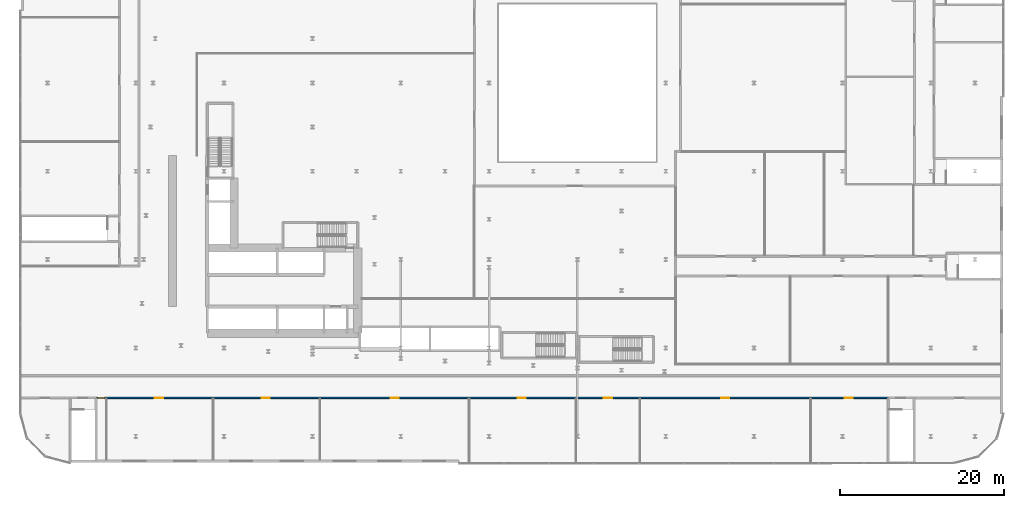
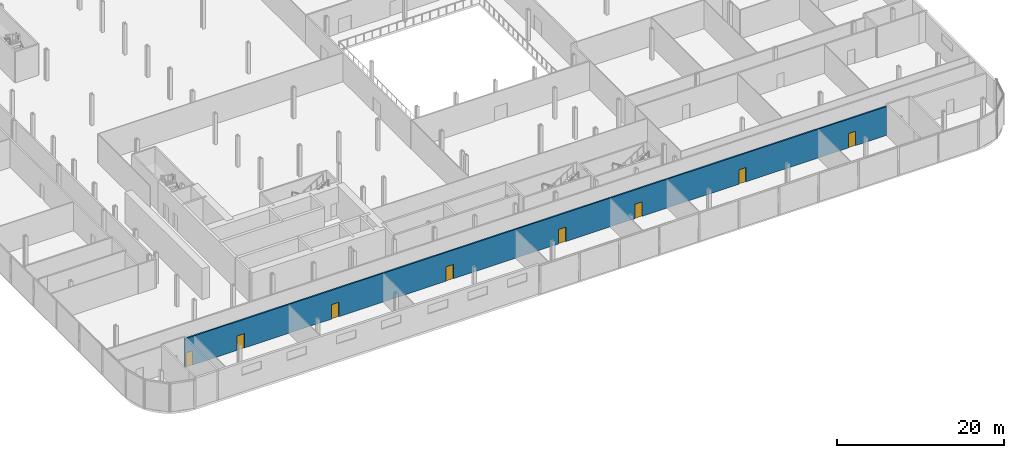
# One storey, part 27 of 43: 8 doors, 1 wall, 8 openings.
"""IFC4 building model written with IfcOpenShell, lengths in metres."""

from ifc_helpers import new_model, si_unit, direction, frame, frame_2d, origin, place, context, subcontext, project, spatial, rectangle, extrude, source, transform, mapped, material, layer, layer_set, type_object, element, fill, save


model = new_model("IFC4")

# Units and contexts
model_context = context("Model", 3, precision=1e-05, world=origin(), true_north=direction((0.0, 1.0)))
body_context = subcontext(model_context, "Body", "Model", "MODEL_VIEW")
ifc_project = project(units=[si_unit("LENGTHUNIT", "METRE"), si_unit("AREAUNIT", "SQUARE_METRE"), si_unit("VOLUMEUNIT", "CUBIC_METRE"), si_unit("PLANEANGLEUNIT", "RADIAN"), si_unit("MASSUNIT", "GRAM", prefix="KILO")], contexts=[model_context])

# Site, building, storey
site_placement = place(None, origin())
site = spatial("IfcSite", under=ifc_project, at=site_placement, CompositionType="ELEMENT")
building_placement = place(site_placement, origin())
building = spatial("IfcBuilding", under=site, at=building_placement, Name="Kheshtan School and Residences Tower", CompositionType="ELEMENT")
storey_placement = place(building_placement, frame((0.0, 0.0, 26.0)))
storey = spatial("IfcBuildingStorey", under=building, at=storey_placement, Name="L05", CompositionType="ELEMENT", Elevation=26.0)

# Wall, openings, doors
ifc_material_1 = material(Name="Gypsum board on steel studs with fire boards", Category="steel")
ifc_layer = layer(ifc_material_1, 0.199951171875)
ifc_layer_set = layer_set([ifc_layer], Name="Corridor wall 200")
wall_type = type_object("IfcWallType", Name="Corridor wall 200", PredefinedType="PARTITIONING", material=ifc_layer_set)
wall_placement = place(storey_placement, frame((21.14990234375, 17.89990234375, 0.0), z_axis=(0.0, 0.0, 1.0), x_axis=(1.0, 0.0, 0.0)))
wall = element("IfcWall", 1, at=wall_placement, inside=storey, type_object=wall_type, Name="Partition L05-008", PredefinedType="PARTITIONING", context=body_context, shape_type="SweptSolid", body=[
    extrude(rectangle(XDim=96.85009765625, YDim=0.199951171875, at=frame_2d((48.425048828125, 0.0))), origin(), (0.0, 0.0, 1.0), 4.199951171875),
])
opening_1_placement = place(wall_placement, frame((0.14990234375, 0.0, 0.0)))
opening_1 = element("IfcOpeningElement", 2, at=opening_1_placement, cuts=wall, Name="Opening D05-035", PredefinedType="OPENING", context=body_context, shape_type="SweptSolid", body=[
    extrude(rectangle(XDim=0.89990234375, YDim=2.10009765625, at=frame_2d((0.449951171875, 1.050048828125))), frame((0.0, 0.10986328125, 0.0), z_axis=(0.0, -1.0, 0.0), x_axis=(1.0, 0.0, 0.0)), (0.0, 0.0, 1.0), 0.219970703125),
])
opening_2_placement = place(wall_placement, frame((7.18505859375, 0.0, 0.0)))
opening_2 = element("IfcOpeningElement", 3, at=opening_2_placement, cuts=wall, Name="Opening D05-036", PredefinedType="OPENING", context=body_context, shape_type="SweptSolid", body=[
    extrude(rectangle(XDim=1.0, YDim=2.10009765625, at=frame_2d((0.5, 1.050048828125))), frame((0.0, 0.10986328125, 0.0), z_axis=(0.0, -1.0, 0.0), x_axis=(1.0, 0.0, 0.0)), (0.0, 0.0, 1.0), 0.219970703125),
])
opening_3_placement = place(wall_placement, frame((20.22802734375, 0.0, 0.0)))
opening_3 = element("IfcOpeningElement", 4, at=opening_3_placement, cuts=wall, Name="Opening D05-037", PredefinedType="OPENING", context=body_context, shape_type="SweptSolid", body=[
    extrude(rectangle(XDim=1.0, YDim=2.10009765625, at=frame_2d((0.5, 1.050048828125))), frame((0.0, 0.10986328125, 0.0), z_axis=(0.0, -1.0, 0.0), x_axis=(1.0, 0.0, 0.0)), (0.0, 0.0, 1.0), 0.219970703125),
])
opening_4_placement = place(wall_placement, frame((36.02197265625, 0.0, 0.0)))
opening_4 = element("IfcOpeningElement", 5, at=opening_4_placement, cuts=wall, Name="Opening D05-038", PredefinedType="OPENING", context=body_context, shape_type="SweptSolid", body=[
    extrude(rectangle(XDim=1.0, YDim=2.10009765625, at=frame_2d((0.5, 1.050048828125))), frame((0.0, 0.10986328125, 0.0), z_axis=(0.0, -1.0, 0.0), x_axis=(1.0, 0.0, 0.0)), (0.0, 0.0, 1.0), 0.219970703125),
])
opening_5_placement = place(wall_placement, frame((51.532958984375, 0.0, 0.0)))
opening_5 = element("IfcOpeningElement", 6, at=opening_5_placement, cuts=wall, Name="Opening D05-039", PredefinedType="OPENING", context=body_context, shape_type="SweptSolid", body=[
    extrude(rectangle(XDim=1.0, YDim=2.10009765625, at=frame_2d((0.5, 1.050048828125))), frame((0.0, 0.10986328125, 0.0), z_axis=(0.0, -1.0, 0.0), x_axis=(1.0, 0.0, 0.0)), (0.0, 0.0, 1.0), 0.219970703125),
])
opening_6_placement = place(wall_placement, frame((62.075927734375, 0.0, 0.0)))
opening_6 = element("IfcOpeningElement", 7, at=opening_6_placement, cuts=wall, Name="Opening D05-040", PredefinedType="OPENING", context=body_context, shape_type="SweptSolid", body=[
    extrude(rectangle(XDim=1.0, YDim=2.10009765625, at=frame_2d((0.5, 1.050048828125))), frame((0.0, 0.10986328125, 0.0), z_axis=(0.0, -1.0, 0.0), x_axis=(1.0, 0.0, 0.0)), (0.0, 0.0, 1.0), 0.219970703125),
])
opening_7_placement = place(wall_placement, frame((76.402099609375, 0.0, 0.0)))
opening_7 = element("IfcOpeningElement", 8, at=opening_7_placement, cuts=wall, Name="Opening D05-041", PredefinedType="OPENING", context=body_context, shape_type="SweptSolid", body=[
    extrude(rectangle(XDim=1.0, YDim=2.10009765625, at=frame_2d((0.5, 1.050048828125))), frame((0.0, 0.10986328125, 0.0), z_axis=(0.0, -1.0, 0.0), x_axis=(1.0, 0.0, 0.0)), (0.0, 0.0, 1.0), 0.219970703125),
])
opening_8_placement = place(wall_placement, frame((91.52197265625, 0.0, 0.0)))
opening_8 = element("IfcOpeningElement", 9, at=opening_8_placement, cuts=wall, Name="Opening D05-042", PredefinedType="OPENING", context=body_context, shape_type="SweptSolid", body=[
    extrude(rectangle(XDim=1.0, YDim=2.10009765625, at=frame_2d((0.5, 1.050048828125))), frame((0.0, 0.10986328125, 0.0), z_axis=(0.0, -1.0, 0.0), x_axis=(1.0, 0.0, 0.0)), (0.0, 0.0, 1.0), 0.219970703125),
])
ifc_material_2 = material(Name="Steel-framed fire-resisting door leaf", Category="steel")
door_type_1 = type_object("IfcDoorType", Name="Fire door FD60 1000 x 2100", OperationType="SINGLE_SWING_LEFT", PredefinedType="DOOR", material=ifc_material_2)
shared_shape_1 = source(origin(), body_context, "Body", "SweptSolid", [
    extrude(rectangle(XDim=1.0, YDim=2.10009765625, at=frame_2d((0.5, 1.050048828125))), frame((0.0, 0.02490234375, 0.0), z_axis=(0.0, -1.0, 0.0), x_axis=(1.0, 0.0, 0.0)), (0.0, 0.0, 1.0), 0.050048828125),
])
door_1_placement = place(opening_2_placement, origin())
door_1 = element("IfcDoor", 10, at=door_1_placement, inside=storey, type_object=door_type_1, Name="Door D05-036", OperationType="SINGLE_SWING_LEFT", OverallHeight=2.10009765625, OverallWidth=1.0, PredefinedType="DOOR", context=body_context, shape_type="MappedRepresentation", body=[
    mapped(shared_shape_1, transform((0.0, 0.0, 0.0), x_axis=(1.0, 0.0, 0.0), y_axis=(0.0, 1.0, 0.0), z_axis=(0.0, 0.0, 1.0), scale=1.0)),
])
fill(opening_2, door_1)
door_2_placement = place(opening_3_placement, origin())
door_2 = element("IfcDoor", 11, at=door_2_placement, inside=storey, type_object=door_type_1, Name="Door D05-037", OperationType="SINGLE_SWING_LEFT", OverallHeight=2.10009765625, OverallWidth=1.0, PredefinedType="DOOR", context=body_context, shape_type="MappedRepresentation", body=[
    mapped(shared_shape_1, transform((0.0, 0.0, 0.0), x_axis=(1.0, 0.0, 0.0), y_axis=(0.0, 1.0, 0.0), z_axis=(0.0, 0.0, 1.0), scale=1.0)),
])
fill(opening_3, door_2)
door_3_placement = place(opening_4_placement, origin())
door_3 = element("IfcDoor", 12, at=door_3_placement, inside=storey, type_object=door_type_1, Name="Door D05-038", OperationType="SINGLE_SWING_LEFT", OverallHeight=2.10009765625, OverallWidth=1.0, PredefinedType="DOOR", context=body_context, shape_type="MappedRepresentation", body=[
    mapped(shared_shape_1, transform((0.0, 0.0, 0.0), x_axis=(1.0, 0.0, 0.0), y_axis=(0.0, 1.0, 0.0), z_axis=(0.0, 0.0, 1.0), scale=1.0)),
])
fill(opening_4, door_3)
door_4_placement = place(opening_5_placement, origin())
door_4 = element("IfcDoor", 13, at=door_4_placement, inside=storey, type_object=door_type_1, Name="Door D05-039", OperationType="SINGLE_SWING_RIGHT", OverallHeight=2.10009765625, OverallWidth=1.0, PredefinedType="DOOR", context=body_context, shape_type="MappedRepresentation", body=[
    mapped(shared_shape_1, transform((0.0, 0.0, 0.0), x_axis=(1.0, 0.0, 0.0), y_axis=(0.0, 1.0, 0.0), z_axis=(0.0, 0.0, 1.0), scale=1.0)),
])
fill(opening_5, door_4)
door_5_placement = place(opening_6_placement, origin())
door_5 = element("IfcDoor", 14, at=door_5_placement, inside=storey, type_object=door_type_1, Name="Door D05-040", OperationType="SINGLE_SWING_RIGHT", OverallHeight=2.10009765625, OverallWidth=1.0, PredefinedType="DOOR", context=body_context, shape_type="MappedRepresentation", body=[
    mapped(shared_shape_1, transform((0.0, 0.0, 0.0), x_axis=(1.0, 0.0, 0.0), y_axis=(0.0, 1.0, 0.0), z_axis=(0.0, 0.0, 1.0), scale=1.0)),
])
fill(opening_6, door_5)
door_6_placement = place(opening_7_placement, origin())
door_6 = element("IfcDoor", 15, at=door_6_placement, inside=storey, type_object=door_type_1, Name="Door D05-041", OperationType="SINGLE_SWING_LEFT", OverallHeight=2.10009765625, OverallWidth=1.0, PredefinedType="DOOR", context=body_context, shape_type="MappedRepresentation", body=[
    mapped(shared_shape_1, transform((0.0, 0.0, 0.0), x_axis=(1.0, 0.0, 0.0), y_axis=(0.0, 1.0, 0.0), z_axis=(0.0, 0.0, 1.0), scale=1.0)),
])
fill(opening_7, door_6)
door_7_placement = place(opening_8_placement, origin())
door_7 = element("IfcDoor", 16, at=door_7_placement, inside=storey, type_object=door_type_1, Name="Door D05-042", OperationType="SINGLE_SWING_RIGHT", OverallHeight=2.10009765625, OverallWidth=1.0, PredefinedType="DOOR", context=body_context, shape_type="MappedRepresentation", body=[
    mapped(shared_shape_1, transform((0.0, 0.0, 0.0), x_axis=(1.0, 0.0, 0.0), y_axis=(0.0, 1.0, 0.0), z_axis=(0.0, 0.0, 1.0), scale=1.0)),
])
fill(opening_8, door_7)
door_type_2 = type_object("IfcDoorType", Name="Fire door FD60 900 x 2100", OperationType="SINGLE_SWING_LEFT", PredefinedType="DOOR", material=ifc_material_2)
shared_shape_2 = source(origin(), body_context, "Body", "SweptSolid", [
    extrude(rectangle(XDim=0.89990234375, YDim=2.10009765625, at=frame_2d((0.449951171875, 1.050048828125))), frame((0.0, 0.02490234375, 0.0), z_axis=(0.0, -1.0, 0.0), x_axis=(1.0, 0.0, 0.0)), (0.0, 0.0, 1.0), 0.050048828125),
])
door_8_placement = place(opening_1_placement, origin())
door_8 = element("IfcDoor", 17, at=door_8_placement, inside=storey, type_object=door_type_2, Name="Door D05-035", OperationType="SINGLE_SWING_RIGHT", OverallHeight=2.10009765625, OverallWidth=0.89990234375, PredefinedType="DOOR", context=body_context, shape_type="MappedRepresentation", body=[
    mapped(shared_shape_2, transform((0.0, 0.0, 0.0), x_axis=(1.0, 0.0, 0.0), y_axis=(0.0, 1.0, 0.0), z_axis=(0.0, 0.0, 1.0), scale=1.0)),
])
fill(opening_1, door_8)

save(model, "model.ifc")
